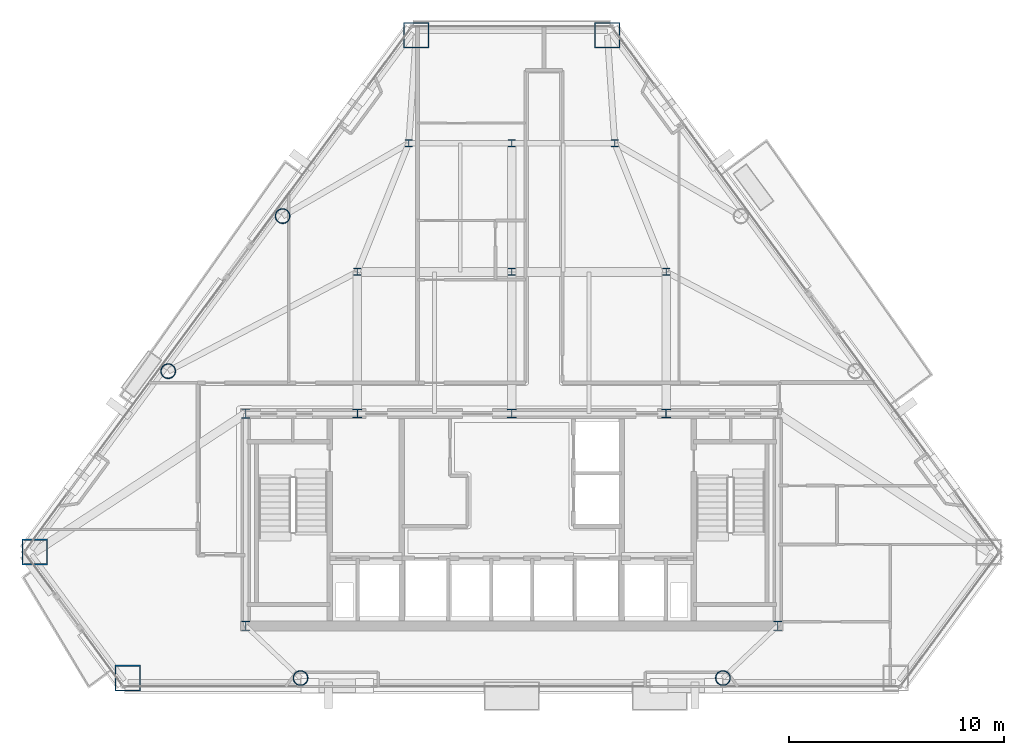
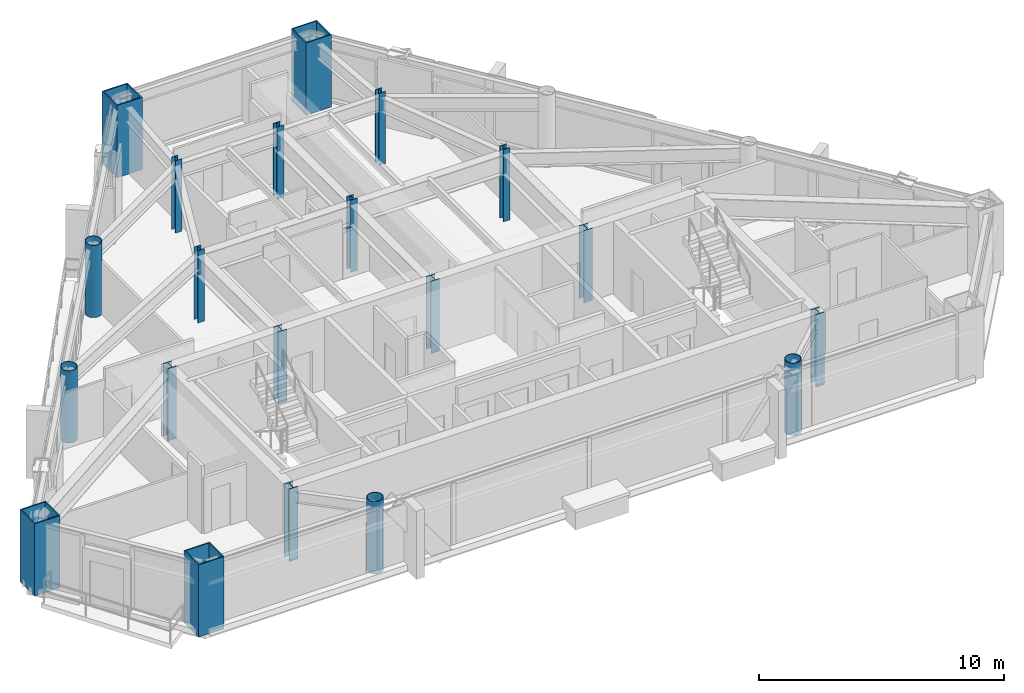
# One storey, part 1 of 11: 20 columns.
"""IFC4 building model written with IfcOpenShell, lengths in metres."""

import ifcopenshell
import ifcopenshell.guid

model = None  # the IFC model being written
_history = None  # IfcOwnerHistory: only IFC2X3 demands one
_inside = {}  # id of a spatial element -> (the spatial element, [elements in it])
_under = {}  # id of a project, library or spatial element -> (it, [spatial elements below it])
_declared = {}  # id of a project -> (the project, [libraries it declares])
_typed = {}  # id of a type object -> (the type object, [elements of that type])
_made_of = {}  # id of a material, layer set ... -> (it, [elements and type objects made of it])


def new_model(schema):
    """Start an empty IFC model of exactly this schema.

    Asked for "IFC4X3", IfcOpenShell would pick the latest addendum, in which some entities
    have other attributes; the version numbers below select the first issue.
    IFC2X3 requires an IfcOwnerHistory on every rooted entity: one is made here for all.
    """
    global model, _history
    if schema == "IFC4X3":
        model = ifcopenshell.file(schema_version=(4, 3, 0, 0))
    else:
        model = ifcopenshell.file(schema=schema)
    _inside.clear()
    _under.clear()
    _declared.clear()
    _typed.clear()
    _made_of.clear()
    _history = None
    if model.schema == "IFC2X3":
        org = make("IfcOrganization", Name="unknown")
        user = make(
            "IfcPersonAndOrganization",
            ThePerson=make("IfcPerson", FamilyName="unknown"),
            TheOrganization=org,
        )
        app = make(
            "IfcApplication",
            ApplicationDeveloper=org,
            Version="unknown",
            ApplicationFullName="unknown",
            ApplicationIdentifier="unknown",
        )
        _history = make(
            "IfcOwnerHistory",
            OwningUser=user,
            OwningApplication=app,
            ChangeAction="ADDED",
            CreationDate=0,
        )
    return model


def make(cls, **values):
    """One entity of the class cls with the attributes given. An attribute that is None is left unset."""
    return model.create_entity(
        cls, **{name: value for name, value in values.items() if value is not None}
    )


def rooted(cls, **values):
    """An entity with a GlobalId (a new one), such as an element, a storey or a relation."""
    return make(cls, GlobalId=ifcopenshell.guid.new(), OwnerHistory=_history, **values)


def si_unit(unit_type, name, prefix=None):
    """IfcSIUnit, for example si_unit("LENGTHUNIT", "METRE", prefix="MILLI")."""
    return make("IfcSIUnit", UnitType=unit_type, Prefix=prefix, Name=name)


def assignment(units):
    """IfcUnitAssignment: the units of a project."""
    return None if units is None else make("IfcUnitAssignment", Units=units)


def point(xyz):
    """IfcCartesianPoint."""
    return None if xyz is None else make("IfcCartesianPoint", Coordinates=xyz)


def direction(xyz):
    """IfcDirection."""
    return None if xyz is None else make("IfcDirection", DirectionRatios=xyz)


def frame(location, z_axis=None, x_axis=None):
    """IfcAxis2Placement3D, a coordinate frame: its origin and axes. An axis left out is left unset."""
    return make(
        "IfcAxis2Placement3D",
        Location=point(location),
        Axis=direction(z_axis),
        RefDirection=direction(x_axis),
    )


def frame_2d(location, x_axis=None):
    """IfcAxis2Placement2D, a coordinate frame in the plane: its origin and x axis."""
    return make(
        "IfcAxis2Placement2D", Location=point(location), RefDirection=direction(x_axis)
    )


def origin():
    """The frame at (0, 0, 0) with its axes left unset."""
    return frame((0.0, 0.0, 0.0))


def origin_2d():
    """The frame at (0, 0) in the plane with its x axis left unset."""
    return frame_2d((0.0, 0.0))


def place(relative_to, where):
    """IfcLocalPlacement: puts the frame where relative to a parent placement (None: the world)."""
    return make(
        "IfcLocalPlacement", PlacementRelTo=relative_to, RelativePlacement=where
    )


def context(
    kind, dimensions, precision=None, world=None, true_north=None, identifier=None
):
    """IfcGeometricRepresentationContext, for example the 3D "Model" context."""
    return make(
        "IfcGeometricRepresentationContext",
        ContextIdentifier=identifier,
        ContextType=kind,
        CoordinateSpaceDimension=dimensions,
        Precision=precision,
        WorldCoordinateSystem=world,
        TrueNorth=true_north,
    )


def subcontext(parent, identifier, kind, view, scale=None):
    """IfcGeometricRepresentationSubContext, for example "Body" below "Model"."""
    return make(
        "IfcGeometricRepresentationSubContext",
        ContextIdentifier=identifier,
        ContextType=kind,
        ParentContext=parent,
        TargetScale=scale,
        TargetView=view,
    )


def project(units=None, contexts=None):
    """IfcProject with its units and contexts."""
    return rooted(
        "IfcProject",
        Name="project",
        RepresentationContexts=contexts,
        UnitsInContext=assignment(units),
    )


def spatial(cls, under=None, at=None, **own):
    """A site, building, storey or space (cls), placed at a placement, below another one or the project."""
    s = rooted(cls, ObjectPlacement=at, **own)
    if under is not None:
        _under.setdefault(under.id(), (under, []))[1].append(s)
    return s


def profile(cls, at=None, kind="AREA", **sizes):
    """A parametric profile (cls). Its sizes go by their IFC names, for example OverallWidth=200.0."""
    return make(cls, ProfileType=kind, Position=at, **sizes)


def hollow_rectangle(**sizes):
    """IfcRectangleHollowProfileDef."""
    return profile("IfcRectangleHollowProfileDef", **sizes)


def hollow_circle(**sizes):
    """IfcCircleHollowProfileDef."""
    return profile("IfcCircleHollowProfileDef", **sizes)


def i_section(**sizes):
    """IfcIShapeProfileDef."""
    return profile("IfcIShapeProfileDef", **sizes)


def extrude(swept, where, along, depth):
    """IfcExtrudedAreaSolid: the profile swept, set in the frame where, extruded along a direction by depth."""
    return make(
        "IfcExtrudedAreaSolid",
        SweptArea=swept,
        Position=where,
        ExtrudedDirection=direction(along),
        Depth=depth,
    )


def shape(context_of_items, identifier, shape_type, items):
    """IfcShapeRepresentation: the items that make up one representation, for example the "Body"."""
    return make(
        "IfcShapeRepresentation",
        ContextOfItems=context_of_items,
        RepresentationIdentifier=identifier,
        RepresentationType=shape_type,
        Items=items,
    )


def material(Name=None, Category=None):
    """IfcMaterial."""
    return make("IfcMaterial", Name=Name, Category=Category)


def material_profile(
    of_material, cross_section, Name=None, Category=None, Priority=None
):
    """IfcMaterialProfile: a cross section and its material."""
    return make(
        "IfcMaterialProfile",
        Name=Name,
        Material=of_material,
        Profile=cross_section,
        Priority=Priority,
        Category=Category,
    )


def profile_set(profiles, Name=None, composite=None):
    """IfcMaterialProfileSet."""
    return make(
        "IfcMaterialProfileSet",
        Name=Name,
        MaterialProfiles=profiles,
        CompositeProfile=composite,
    )


def made_of(thing, what):
    """Note that an element or type object is made of a material, layer set ...; save() writes the relation."""
    if what is not None:
        _made_of.setdefault(what.id(), (what, []))[1].append(thing)
    return thing


def type_object(cls, material=None, **own):
    """A type object (cls), such as IfcWallType, which elements share."""
    return made_of(rooted(cls, **own), material)


def element(
    cls,
    number,
    at=None,
    inside=None,
    cuts=None,
    type_object=None,
    material=None,
    context=None,
    identifier="Body",
    shape_type=None,
    held_by="IfcProductDefinitionShape",
    body=None,
    shapes=None,
    **own,
):
    """One element of the class cls, such as IfcWall. Its Tag is "e" and its number.

    at: its placement. inside: the storey or other place that contains it. cuts: it is an
    opening in that element (IfcRelVoidsElement). A single representation is given by context,
    identifier, shape_type and body (its items); several are given by shapes. held_by: the class
    of the entity that holds the representations. save() writes the other relations.
    """
    e = rooted(cls, Tag="e%d" % number, ObjectPlacement=at, **own)
    if body is not None:
        shapes = [shape(context, identifier, shape_type, body)]
    if shapes is not None:
        e.Representation = make(held_by, Representations=shapes)
    if inside is not None:
        _inside.setdefault(inside.id(), (inside, []))[1].append(e)
    if cuts is not None:
        rooted(
            "IfcRelVoidsElement", RelatingBuildingElement=cuts, RelatedOpeningElement=e
        )
    if type_object is not None:
        _typed.setdefault(type_object.id(), (type_object, []))[1].append(e)
    return made_of(e, material)


def aggregate(whole, parts):
    """IfcRelAggregates: a whole, such as a stair, and the parts it consists of."""
    return rooted("IfcRelAggregates", RelatingObject=whole, RelatedObjects=parts)


def save(model, path):
    """Write the relations noted so far, then the file.

    IfcRelAggregates (storeys below a building ...), IfcRelContainedInSpatialStructure (elements
    in a storey), IfcRelDefinesByType, IfcRelAssociatesMaterial and IfcRelDeclares: one each for
    every whole, place, type object, material and project.
    """
    for whole, parts in _under.values():
        aggregate(whole, parts)
    for where, things in _inside.values():
        rooted(
            "IfcRelContainedInSpatialStructure",
            RelatedElements=things,
            RelatingStructure=where,
        )
    for kind, things in _typed.values():
        rooted("IfcRelDefinesByType", RelatedObjects=things, RelatingType=kind)
    for what, things in _made_of.values():
        rooted("IfcRelAssociatesMaterial", RelatedObjects=things, RelatingMaterial=what)
    for by, libraries in _declared.values():
        rooted("IfcRelDeclares", RelatingContext=by, RelatedDefinitions=libraries)
    model.write(path)


model = new_model("IFC4")

# Units and contexts
model_context = context("Model", 3, precision=1e-05, world=origin(), true_north=direction((0.0, 1.0)))
body_context = subcontext(model_context, "Body", "Model", "MODEL_VIEW")
ifc_project = project(units=[si_unit("LENGTHUNIT", "METRE"), si_unit("AREAUNIT", "SQUARE_METRE"), si_unit("VOLUMEUNIT", "CUBIC_METRE"), si_unit("PLANEANGLEUNIT", "RADIAN"), si_unit("MASSUNIT", "GRAM", prefix="KILO")], contexts=[model_context])

# Site, building, storey
site_placement = place(None, origin())
site = spatial("IfcSite", under=ifc_project, at=site_placement, CompositionType="ELEMENT")
building_placement = place(site_placement, origin())
building = spatial("IfcBuilding", under=site, at=building_placement, Name="Talgorran Terracotta Tower", CompositionType="ELEMENT")
storey_placement = place(building_placement, frame((0.0, 0.0, 158.10009765625)))
storey = spatial("IfcBuildingStorey", under=building, at=storey_placement, Name="L41", CompositionType="ELEMENT", Elevation=158.10009765625)

# Columns
ifc_material_1 = material(Name="Steel S355 (300PLUS)", Category="steel")
ifc_material_profile_1 = material_profile(ifc_material_1, i_section(OverallWidth=0.311279296875, OverallDepth=0.3271484375, WebThickness=0.015625, FlangeThickness=0.02490234375, at=origin_2d()), Name="310UC158")
ifc_profile_set_1 = profile_set([ifc_material_profile_1], Name="Steel S355 (300PLUS)")
column_type_1 = type_object("IfcColumnType", Name="COL_310UC158", PredefinedType="COLUMN", material=ifc_profile_set_1)
for number, where, z_axis, x_axis, name in (
    (1, (-7.199951171875, 2.39990234375, 0.0), (0.0, 0.0, 1.0), (1.0, 0.0, 0.0), "L41 Interior Gravity Column IC1"),
    (2, (0.0, 2.39990234375, 0.0), (0.0, 0.0, 1.0), (1.0, 0.0, 0.0), "L41 Interior Gravity Column IC2"),
    (3, (7.199951171875, 2.39990234375, 0.0), (0.0, 0.0, 1.0), (1.0, 0.0, 0.0), "L41 Interior Gravity Column IC3"),
    (4, (-4.800048828125, 8.39990234375, 0.0), (0.0, 0.0, 1.0), (1.0, 0.0, 0.0), "L41 Interior Gravity Column IC4"),
    (5, (0.0, 8.39990234375, 0.0), (0.0, 0.0, 1.0), (1.0, 0.0, 0.0), "L41 Interior Gravity Column IC5"),
    (6, (4.800048828125, 8.39990234375, 0.0), (0.0, 0.0, 1.0), (1.0, 0.0, 0.0), "L41 Interior Gravity Column IC6"),
):
    element("IfcColumn", number, at=place(storey_placement, frame(where, z_axis=z_axis, x_axis=x_axis)), inside=storey, type_object=column_type_1, Name=name, PredefinedType="COLUMN", context=body_context, shape_type="SweptSolid", body=[
        extrude(i_section(OverallWidth=0.311279296875, OverallDepth=0.3271484375, WebThickness=0.015625, FlangeThickness=0.02490234375, at=origin_2d()), origin(), (0.0, 0.0, 1.0), 3.599853515625),
    ])
ifc_material_profile_2 = material_profile(ifc_material_1, i_section(OverallWidth=0.39990234375, OverallDepth=0.43994140625, WebThickness=0.028076171875, FlangeThickness=0.0400390625, at=origin_2d()), Name="400WC328")
ifc_profile_set_2 = profile_set([ifc_material_profile_2], Name="Steel S355 (300PLUS)")
column_type_2 = type_object("IfcColumnType", Name="COL_400WC328", PredefinedType="COLUMN", material=ifc_profile_set_2)
for number, where, z_axis, x_axis, name in (
    (7, (-12.39990234375, -14.10009765625, 0.0), (0.0, 0.0, 1.0), (1.0, 0.0, 0.0), "L41 Core Boundary Column CC1"),
    (8, (12.39990234375, -14.10009765625, 0.0), (0.0, 0.0, 1.0), (1.0, 0.0, 0.0), "L41 Core Boundary Column CC2"),
    (9, (-12.39990234375, -4.199951171875, 0.0), (0.0, 0.0, 1.0), (1.0, 0.0, 0.0), "L41 Core Boundary Column CC4"),
):
    element("IfcColumn", number, at=place(storey_placement, frame(where, z_axis=z_axis, x_axis=x_axis)), inside=storey, type_object=column_type_2, Name=name, PredefinedType="COLUMN", context=body_context, shape_type="SweptSolid", body=[
        extrude(i_section(OverallWidth=0.39990234375, OverallDepth=0.43994140625, WebThickness=0.028076171875, FlangeThickness=0.0400390625, at=origin_2d()), origin(), (0.0, 0.0, 1.0), 3.599853515625),
    ])
ifc_material_2 = material(Name="Steel Grade 350 (350L0)", Category="steel")
ifc_material_profile_3 = material_profile(ifc_material_2, hollow_rectangle(XDim=1.199951171875, YDim=1.199951171875, WallThickness=0.054931640625, at=origin_2d()), Name="CFT1200X1200X55")
ifc_profile_set_3 = profile_set([ifc_material_profile_3], Name="Steel Grade 350 (350L0)")
column_type_3 = type_object("IfcColumnType", Name="COL_CFT_1200", PredefinedType="COLUMN", material=ifc_profile_set_3)
for number, where, z_axis, x_axis, name in (
    (10, (-22.234130859375, -10.654541015625, 0.0), (0.0, 0.0, 1.0), (1.0, 0.0, 0.0), "L41 Corner CFT Mega-Column MC1"),
    (11, (-17.898193359375, -16.530029296875, 0.0), (0.0, 0.0, 1.0), (1.0, 0.0, 0.0), "L41 Corner CFT Mega-Column MC2"),
    (12, (4.45703125, 13.4345703125, 0.0), (0.0, 0.0, 1.0), (1.0, 0.0, 0.0), "L41 Corner CFT Mega-Column MC5"),
    (13, (-4.45703125, 13.4345703125, 0.0), (0.0, 0.0, 1.0), (1.0, 0.0, 0.0), "L41 Corner CFT Mega-Column MC6"),
):
    element("IfcColumn", number, at=place(storey_placement, frame(where, z_axis=z_axis, x_axis=x_axis)), inside=storey, type_object=column_type_3, Name=name, PredefinedType="COLUMN", context=body_context, shape_type="SweptSolid", body=[
        extrude(hollow_rectangle(XDim=1.199951171875, YDim=1.199951171875, WallThickness=0.054931640625, at=origin_2d()), origin(), (0.0, 0.0, 1.0), 3.599853515625),
    ])
ifc_material_profile_4 = material_profile(ifc_material_2, hollow_circle(Radius=0.35009765625, WallThickness=0.030029296875, at=origin_2d()), Name="CHS700X30")
ifc_profile_set_4 = profile_set([ifc_material_profile_4], Name="Steel Grade 350 (350L0)")
column_type_4 = type_object("IfcColumnType", Name="COL_CHS_700", PredefinedType="COLUMN", material=ifc_profile_set_4)
for number, where, z_axis, x_axis, name in (
    (14, (-9.843994140625, -16.530029296875, 0.0), (0.0, 0.0, 1.0), (1.0, 0.0, 0.0), "L41 Facet Perimeter Column FC1"),
    (15, (9.843994140625, -16.530029296875, 0.0), (0.0, 0.0, 1.0), (1.0, 0.0, 0.0), "L41 Facet Perimeter Column FC2"),
    (16, (-10.67919921875, 5.00341796875, 0.0), (0.0, 0.0, 1.0), (1.0, 0.0, 0.0), "L41 Facet Perimeter Column FC5"),
    (17, (-16.01220703125, -2.223388671875, 0.0), (0.0, 0.0, 1.0), (1.0, 0.0, 0.0), "L41 Facet Perimeter Column FC6"),
):
    element("IfcColumn", number, at=place(storey_placement, frame(where, z_axis=z_axis, x_axis=x_axis)), inside=storey, type_object=column_type_4, Name=name, PredefinedType="COLUMN", context=body_context, shape_type="SweptSolid", body=[
        extrude(hollow_circle(Radius=0.35009765625, WallThickness=0.030029296875, at=origin_2d()), origin(), (0.0, 0.0, 1.0), 3.599853515625),
    ])
ifc_material_profile_5 = material_profile(ifc_material_1, i_section(OverallWidth=0.405029296875, OverallDepth=0.4140625, WebThickness=0.02197265625, FlangeThickness=0.031982421875, at=origin_2d()), Name="400WC270")
ifc_profile_set_5 = profile_set([ifc_material_profile_5], Name="Steel S355 (300PLUS)")
column_type_5 = type_object("IfcColumnType", Name="COL_PIL_400WC270", PredefinedType="PILASTER", material=ifc_profile_set_5)
for number, where, z_axis, x_axis, name in (
    (18, (-7.199951171875, -4.199951171875, 0.0), (0.0, 0.0, 1.0), (1.0, 0.0, 0.0), "L41 Core Shear Pilaster CP1"),
    (19, (0.0, -4.199951171875, 0.0), (0.0, 0.0, 1.0), (1.0, 0.0, 0.0), "L41 Core Shear Pilaster CP2"),
    (20, (7.199951171875, -4.199951171875, 0.0), (0.0, 0.0, 1.0), (1.0, 0.0, 0.0), "L41 Core Shear Pilaster CP3"),
):
    element("IfcColumn", number, at=place(storey_placement, frame(where, z_axis=z_axis, x_axis=x_axis)), inside=storey, type_object=column_type_5, Name=name, PredefinedType="PILASTER", context=body_context, shape_type="SweptSolid", body=[
        extrude(i_section(OverallWidth=0.405029296875, OverallDepth=0.4140625, WebThickness=0.02197265625, FlangeThickness=0.031982421875, at=origin_2d()), origin(), (0.0, 0.0, 1.0), 3.599853515625),
    ])

save(model, "model.ifc")
